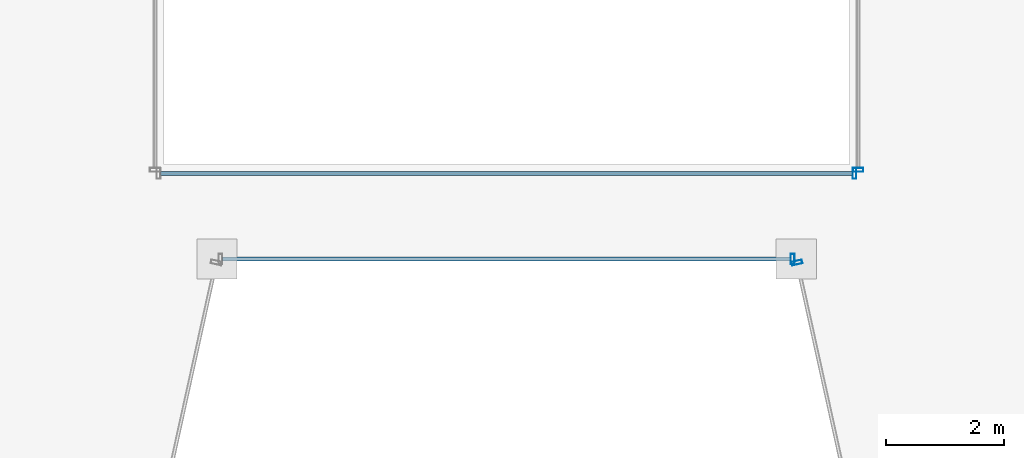
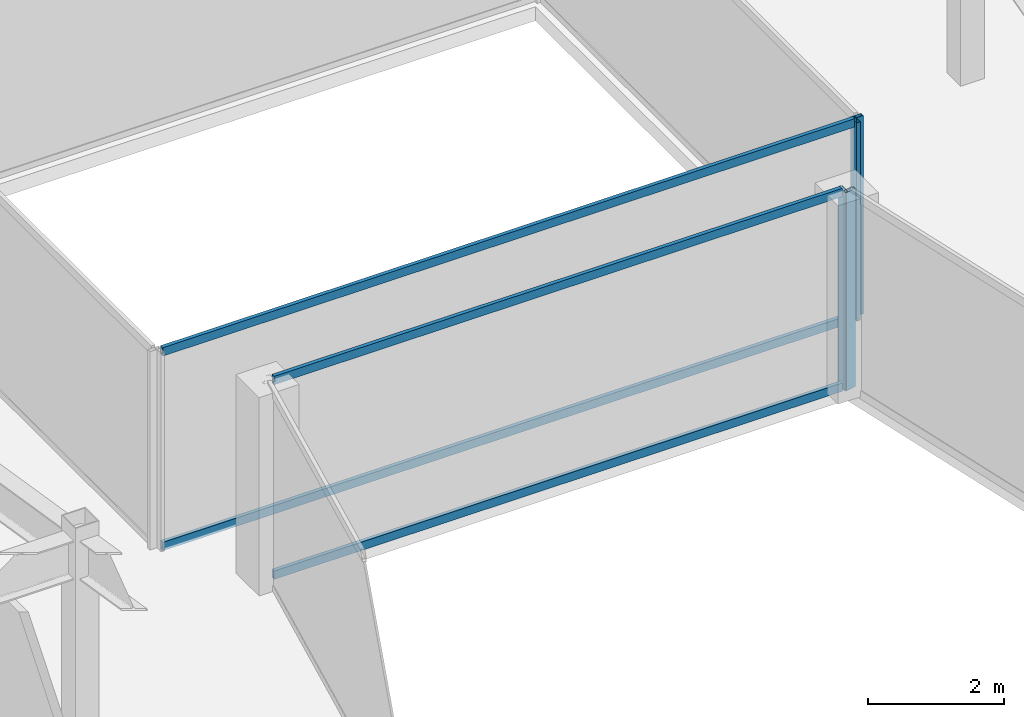
# One storey, part 8 of 35: 8 members, 4 elements without a shape of their own.
"""IFC4 building model written with IfcOpenShell, lengths in metres."""

from ifc_helpers import new_model, si_unit, direction, frame, origin, origin_2d, place, context, subcontext, project, spatial, hollow_rectangle, extrude, material, material_profile, profile_set, type_object, element, aggregate, save


model = new_model("IFC4")

# Units and contexts
model_context = context("Model", 3, precision=1e-05, world=origin(), true_north=direction((0.0, 1.0)))
body_context = subcontext(model_context, "Body", "Model", "MODEL_VIEW")
ifc_project = project(units=[si_unit("LENGTHUNIT", "METRE"), si_unit("AREAUNIT", "SQUARE_METRE"), si_unit("VOLUMEUNIT", "CUBIC_METRE"), si_unit("PLANEANGLEUNIT", "RADIAN"), si_unit("MASSUNIT", "GRAM", prefix="KILO")], contexts=[model_context])

# Site, building, storey
site_placement = place(None, origin())
site = spatial("IfcSite", under=ifc_project, at=site_placement, CompositionType="ELEMENT")
building_placement = place(site_placement, origin())
building = spatial("IfcBuilding", under=site, at=building_placement, Name="Saevonmaru Cultural Tower", CompositionType="ELEMENT")
storey_placement = place(building_placement, frame((0.0, 0.0, 190.39990234375)))
storey = spatial("IfcBuildingStorey", under=building, at=storey_placement, Name="L43", CompositionType="ELEMENT", Elevation=190.39990234375)

# Curtain wall, member
ifc_material = material(Name="Satin Bronze Anodised Aluminium", Category="aluminium")
curtain_wall_type_1 = type_object("IfcCurtainWallType", Name="CW-TYP-B", PredefinedType="NOTDEFINED", material=ifc_material)
curtain_wall_1_placement = place(storey_placement, origin())
curtain_wall_1 = element("IfcCurtainWall", 1, at=curtain_wall_1_placement, inside=storey, type_object=curtain_wall_type_1, Name="L43 Unitised Curtain Wall E4", PredefinedType="NOTDEFINED")
ifc_material_profile_1 = material_profile(ifc_material, hollow_rectangle(XDim=0.06494140625, YDim=0.179931640625, WallThickness=0.00390625, at=origin_2d()), Name="ALU-MULL-180x65x4")
ifc_profile_set_1 = profile_set([ifc_material_profile_1], Name="Satin Bronze Anodised Aluminium")
member_type_1 = type_object("IfcMemberType", Name="ML-CW-180x65", PredefinedType="MULLION", material=ifc_profile_set_1)
member_1_placement = place(storey_placement, frame((34.84228515625, 26.0, 0.0), z_axis=(0.0, 0.0, 1.0), x_axis=(1.0, 0.0, 0.0)))
member_1 = element("IfcMember", 2, at=member_1_placement, type_object=member_type_1, Name="CW-TW-L43-E4 mullion 2", PredefinedType="MULLION", context=body_context, shape_type="SweptSolid", body=[
    extrude(hollow_rectangle(XDim=0.06494140625, YDim=0.179931640625, WallThickness=0.00390625, at=origin_2d()), origin(), (0.0, 0.0, 1.0), 3.550048828125),
])

curtain_wall_2_placement = place(storey_placement, origin())
curtain_wall_2 = element("IfcCurtainWall", 3, at=curtain_wall_2_placement, inside=storey, type_object=curtain_wall_type_1, Name="L43 Unitised Curtain Wall E5", PredefinedType="NOTDEFINED")
member_2_placement = place(storey_placement, frame((34.9150390625, 25.94140625, 0.0), z_axis=(0.0, 0.0, 1.0), x_axis=(0.215413319953, -0.976522965212, 0.0)))
member_2 = element("IfcMember", 4, at=member_2_placement, type_object=member_type_1, Name="CW-TW-L43-E5 mullion 1", PredefinedType="MULLION", context=body_context, shape_type="SweptSolid", body=[
    extrude(hollow_rectangle(XDim=0.06494140625, YDim=0.179931640625, WallThickness=0.00390625, at=origin_2d()), origin(), (0.0, 0.0, 1.0), 3.550048828125),
])
aggregate(curtain_wall_2, [member_2])

curtain_wall_type_2 = type_object("IfcCurtainWallType", Name="CW-ATR-GLZ", PredefinedType="NOTDEFINED", material=ifc_material)
curtain_wall_3_placement = place(storey_placement, origin())
curtain_wall_3 = element("IfcCurtainWall", 5, at=curtain_wall_3_placement, inside=storey, type_object=curtain_wall_type_2, Name="L43 Vertical Atrium Glazed Smoke Screen 1", PredefinedType="NOTDEFINED")
ifc_material_profile_2 = material_profile(ifc_material, hollow_rectangle(XDim=0.06494140625, YDim=0.179931640625, WallThickness=0.00390625, at=origin_2d()), Name="ALU-MULL-180x65x4")
ifc_profile_set_2 = profile_set([ifc_material_profile_2], Name="Satin Bronze Anodised Aluminium")
member_type_2 = type_object("IfcMemberType", Name="ML-CW-INT-180x65", PredefinedType="MULLION", material=ifc_profile_set_2)
member_3_placement = place(storey_placement, frame((35.889892578125, 27.449951171875, 0.0), z_axis=(0.0, 0.0, 1.0), x_axis=(1.0, 0.0, 0.0)))
member_3 = element("IfcMember", 6, at=member_3_placement, type_object=member_type_2, Name="CW-ATR-L43-1 mullion 2", PredefinedType="MULLION", context=body_context, shape_type="SweptSolid", body=[
    extrude(hollow_rectangle(XDim=0.06494140625, YDim=0.179931640625, WallThickness=0.00390625, at=origin_2d()), origin(), (0.0, 0.0, 1.0), 3.550048828125),
])

curtain_wall_4_placement = place(storey_placement, origin())
curtain_wall_4 = element("IfcCurtainWall", 7, at=curtain_wall_4_placement, inside=storey, type_object=curtain_wall_type_2, Name="L43 Vertical Atrium Glazed Smoke Screen 2", PredefinedType="NOTDEFINED")
member_4_placement = place(storey_placement, frame((35.949951171875, 27.510009765625, 0.0), z_axis=(0.0, 0.0, 1.0), x_axis=(0.0, 1.0, 0.0)))
member_4 = element("IfcMember", 8, at=member_4_placement, type_object=member_type_2, Name="CW-ATR-L43-2 mullion 1", PredefinedType="MULLION", context=body_context, shape_type="SweptSolid", body=[
    extrude(hollow_rectangle(XDim=0.06494140625, YDim=0.179931640625, WallThickness=0.00390625, at=origin_2d()), origin(), (0.0, 0.0, 1.0), 3.550048828125),
])
aggregate(curtain_wall_4, [member_4])

# Member
ifc_material_profile_3 = material_profile(ifc_material, hollow_rectangle(XDim=0.06494140625, YDim=0.14990234375, WallThickness=0.00390625, at=origin_2d()), Name="ALU-TRAN-150x65x4")
ifc_profile_set_3 = profile_set([ifc_material_profile_3], Name="Satin Bronze Anodised Aluminium")
member_type_3 = type_object("IfcMemberType", Name="TR-CW-150x65", PredefinedType="USERDEFINED", material=ifc_profile_set_3)
member_5_placement = place(storey_placement, frame((25.190185546875, 26.0, 0.03271484375), z_axis=(1.0, 0.0, 0.0), x_axis=(0.0, 1.0, 0.0)))
member_5 = element("IfcMember", 9, at=member_5_placement, type_object=member_type_3, Name="CW-TW-L43-E4 transom 1.1", ObjectType="TRANSOM", PredefinedType="USERDEFINED", context=body_context, shape_type="SweptSolid", body=[
    extrude(hollow_rectangle(XDim=0.06494140625, YDim=0.14990234375, WallThickness=0.00390625, at=origin_2d()), origin(), (0.0, 0.0, 1.0), 9.61962890625),
])

member_6_placement = place(storey_placement, frame((25.190185546875, 26.0, 3.517578125), z_axis=(1.0, 0.0, 0.0), x_axis=(0.0, 1.0, 0.0)))
member_6 = element("IfcMember", 10, at=member_6_placement, type_object=member_type_3, Name="CW-TW-L43-E4 transom 1.2", ObjectType="TRANSOM", PredefinedType="USERDEFINED", context=body_context, shape_type="SweptSolid", body=[
    extrude(hollow_rectangle(XDim=0.06494140625, YDim=0.14990234375, WallThickness=0.00390625, at=origin_2d()), origin(), (0.0, 0.0, 1.0), 9.61962890625),
])

aggregate(curtain_wall_1, [member_1, member_5, member_6])

ifc_material_profile_4 = material_profile(ifc_material, hollow_rectangle(XDim=0.06494140625, YDim=0.14990234375, WallThickness=0.00390625, at=origin_2d()), Name="ALU-TRAN-150x65x4")
ifc_profile_set_4 = profile_set([ifc_material_profile_4], Name="Satin Bronze Anodised Aluminium")
member_type_4 = type_object("IfcMemberType", Name="TR-CW-INT-150x65", PredefinedType="USERDEFINED", material=ifc_profile_set_4)
member_7_placement = place(storey_placement, frame((24.142578125, 27.449951171875, 0.03271484375), z_axis=(1.0, 0.0, 0.0), x_axis=(0.0, 1.0, 0.0)))
member_7 = element("IfcMember", 11, at=member_7_placement, type_object=member_type_4, Name="CW-ATR-L43-1 transom 1.1", ObjectType="TRANSOM", PredefinedType="USERDEFINED", context=body_context, shape_type="SweptSolid", body=[
    extrude(hollow_rectangle(XDim=0.06494140625, YDim=0.14990234375, WallThickness=0.00390625, at=origin_2d()), origin(), (0.0, 0.0, 1.0), 11.71484375),
])

member_8_placement = place(storey_placement, frame((24.142578125, 27.449951171875, 3.517578125), z_axis=(1.0, 0.0, 0.0), x_axis=(0.0, 1.0, 0.0)))
member_8 = element("IfcMember", 12, at=member_8_placement, type_object=member_type_4, Name="CW-ATR-L43-1 transom 1.2", ObjectType="TRANSOM", PredefinedType="USERDEFINED", context=body_context, shape_type="SweptSolid", body=[
    extrude(hollow_rectangle(XDim=0.06494140625, YDim=0.14990234375, WallThickness=0.00390625, at=origin_2d()), origin(), (0.0, 0.0, 1.0), 11.71484375),
])

aggregate(curtain_wall_3, [member_3, member_7, member_8])

save(model, "model.ifc")
